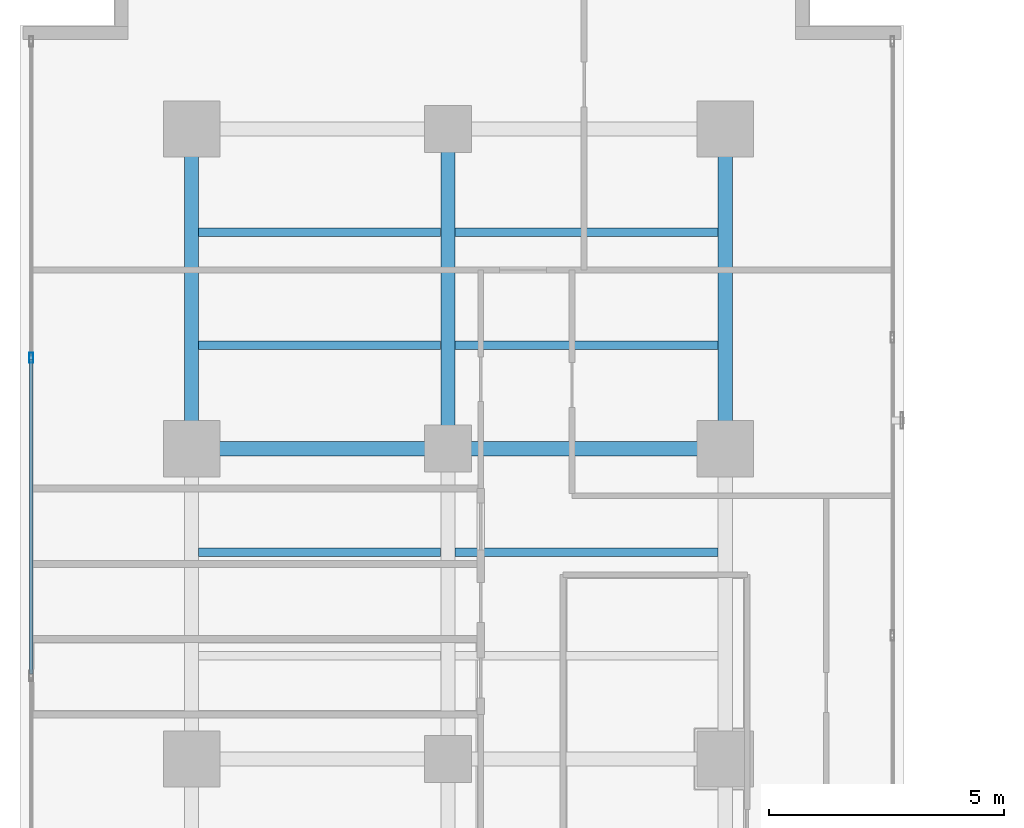
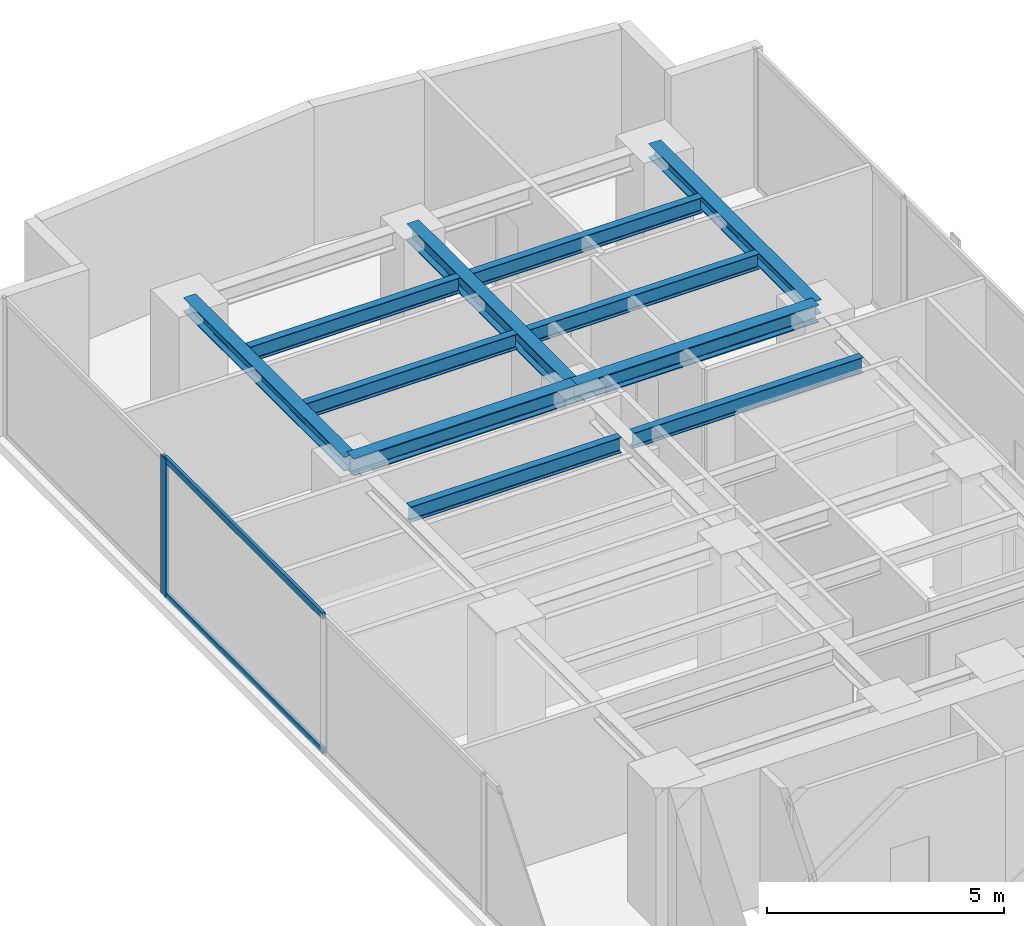
# One storey, part 15 of 26: 11 beams, 3 members, 1 element without a shape of its own.
"""IFC4 building model written with IfcOpenShell, lengths in metres."""

from ifc_helpers import new_model, si_unit, direction, frame, origin, origin_with_axes, origin_2d, place, context, subcontext, project, spatial, hollow_rectangle, i_section, extrude, source, transform, mapped, material, layer, layer_set, material_profile, profile_set, type_object, element, aggregate, save


model = new_model("IFC4")

# Units and contexts
model_context = context("Model", 3, precision=1e-05, world=origin(), true_north=direction((0.0, 1.0)))
body_context = subcontext(model_context, "Body", "Model", "MODEL_VIEW")
ifc_project = project(units=[si_unit("LENGTHUNIT", "METRE"), si_unit("AREAUNIT", "SQUARE_METRE"), si_unit("VOLUMEUNIT", "CUBIC_METRE"), si_unit("PLANEANGLEUNIT", "RADIAN"), si_unit("MASSUNIT", "GRAM", prefix="KILO")], contexts=[model_context])

# Site, building, storey
site_placement = place(None, origin())
site = spatial("IfcSite", under=ifc_project, at=site_placement, CompositionType="ELEMENT")
building_placement = place(site_placement, origin())
building = spatial("IfcBuilding", under=site, at=building_placement, Name="Kolvaren Waterfront Exchange", CompositionType="ELEMENT")
storey_placement = place(building_placement, frame((0.0, 0.0, 150.0)))
storey = spatial("IfcBuildingStorey", under=building, at=storey_placement, Name="L38", CompositionType="ELEMENT", Elevation=150.0)

# Beams
ifc_material_1 = material(Name="Steel S355", Category="steel")
ifc_material_profile_1 = material_profile(ifc_material_1, i_section(OverallWidth=0.300048828125, OverallDepth=0.360107421875, WebThickness=0.012451171875, FlangeThickness=0.0224609375, FilletRadius=0.027099609375, at=origin_2d()), Name="HEB360")
ifc_profile_set_1 = profile_set([ifc_material_profile_1], Name="Steel S355")
beam_type_1 = type_object("IfcBeamType", Name="STR-BM-HEB360", PredefinedType="SPANDREL", material=ifc_profile_set_1)
for number, where, z_axis, x_axis, name in (
    (1, (7.449951171875, 37.800048828125, 3.3798828125), (0.0, 1.0, 0.0), (-1.0, 0.0, 0.0), "L38 north-arm edge beam 3"),
    (2, (18.800048828125, 37.800048828125, 3.3798828125), (0.0, 1.0, 0.0), (-1.0, 0.0, 0.0), "L38 north-arm edge beam 3"),
):
    element("IfcBeam", number, at=place(storey_placement, frame(where, z_axis=z_axis, x_axis=x_axis)), inside=storey, type_object=beam_type_1, Name=name, PredefinedType="SPANDREL", context=body_context, shape_type="SweptSolid", body=[
        extrude(i_section(OverallWidth=0.300048828125, OverallDepth=0.360107421875, WebThickness=0.012451171875, FlangeThickness=0.0224609375, FilletRadius=0.027099609375, at=origin_2d()), origin(), (0.0, 0.0, 1.0), 6.800048828125),
    ])
ifc_material_profile_2 = material_profile(ifc_material_1, i_section(OverallWidth=0.300048828125, OverallDepth=0.449951171875, WebThickness=0.013916015625, FlangeThickness=0.02587890625, FilletRadius=0.027099609375, at=origin_2d()), Name="HEB450")
ifc_profile_set_2 = profile_set([ifc_material_profile_2], Name="Steel S355")
beam_type_2 = type_object("IfcBeamType", Name="STR-BM-HEB450", PredefinedType="BEAM", material=ifc_profile_set_2)
beam_1_placement = place(storey_placement, frame((7.449951171875, 37.800048828125, 3.3349609375), z_axis=(1.0, 0.0, 0.0), x_axis=(0.0, 1.0, 0.0)))
element("IfcBeam", 3, at=beam_1_placement, inside=storey, type_object=beam_type_2, Name="L38 north-arm girder 3A", PredefinedType="BEAM", context=body_context, shape_type="SweptSolid", body=[
    extrude(i_section(OverallWidth=0.300048828125, OverallDepth=0.449951171875, WebThickness=0.013916015625, FlangeThickness=0.02587890625, FilletRadius=0.027099609375, at=origin_2d()), origin(), (0.0, 0.0, 1.0), 5.449951171875),
])
beam_2_placement = place(storey_placement, frame((12.89990234375, 37.800048828125, 3.3349609375), z_axis=(1.0, 0.0, 0.0), x_axis=(0.0, 1.0, 0.0)))
element("IfcBeam", 4, at=beam_2_placement, inside=storey, type_object=beam_type_2, Name="L38 north-arm girder 3B", PredefinedType="BEAM", context=body_context, shape_type="SweptSolid", body=[
    extrude(i_section(OverallWidth=0.300048828125, OverallDepth=0.449951171875, WebThickness=0.013916015625, FlangeThickness=0.02587890625, FilletRadius=0.027099609375, at=origin_2d()), origin(), (0.0, 0.0, 1.0), 5.900146484375),
])
beam_3_placement = place(storey_placement, frame((12.89990234375, 37.800048828125, 3.3349609375), z_axis=(0.0, 1.0, 0.0), x_axis=(-1.0, 0.0, 0.0)))
element("IfcBeam", 5, at=beam_3_placement, inside=storey, type_object=beam_type_2, Name="L38 north-arm edge beam 3", PredefinedType="BEAM", context=body_context, shape_type="SweptSolid", body=[
    extrude(i_section(OverallWidth=0.300048828125, OverallDepth=0.449951171875, WebThickness=0.013916015625, FlangeThickness=0.02587890625, FilletRadius=0.027099609375, at=origin_2d()), origin(), (0.0, 0.0, 1.0), 6.800048828125),
])
ifc_material_profile_3 = material_profile(ifc_material_1, i_section(OverallWidth=0.179931640625, OverallDepth=0.39990234375, WebThickness=0.008544921875, FlangeThickness=0.013427734375, FilletRadius=0.02099609375, at=origin_2d()), Name="IPE400")
ifc_profile_set_3 = profile_set([ifc_material_profile_3], Name="Steel S355")
beam_type_3 = type_object("IfcBeamType", Name="STR-BM-IPE400", PredefinedType="JOIST", material=ifc_profile_set_3)
beam_4_placement = place(storey_placement, frame((7.60205078125, 35.60009765625, 3.360107421875), z_axis=(1.0, 0.0, 0.0), x_axis=(0.0, 1.0, 0.0)))
element("IfcBeam", 6, at=beam_4_placement, inside=storey, type_object=beam_type_3, Name="L38 north-arm composite joist 4A", PredefinedType="JOIST", context=body_context, shape_type="SweptSolid", body=[
    extrude(i_section(OverallWidth=0.179931640625, OverallDepth=0.39990234375, WebThickness=0.008544921875, FlangeThickness=0.013427734375, FilletRadius=0.02099609375, at=origin_2d()), origin(), (0.0, 0.0, 1.0), 5.14599609375),
])
beam_5_placement = place(storey_placement, frame((13.052001953125, 35.60009765625, 3.360107421875), z_axis=(1.0, 0.0, 0.0), x_axis=(0.0, 1.0, 0.0)))
element("IfcBeam", 7, at=beam_5_placement, inside=storey, type_object=beam_type_3, Name="L38 north-arm composite joist 4B", PredefinedType="JOIST", context=body_context, shape_type="SweptSolid", body=[
    extrude(i_section(OverallWidth=0.179931640625, OverallDepth=0.39990234375, WebThickness=0.008544921875, FlangeThickness=0.013427734375, FilletRadius=0.02099609375, at=origin_2d()), origin(), (0.0, 0.0, 1.0), 5.595947265625),
])
beam_6_placement = place(storey_placement, frame((7.60205078125, 40.0, 3.360107421875), z_axis=(1.0, 0.0, 0.0), x_axis=(0.0, 1.0, 0.0)))
element("IfcBeam", 8, at=beam_6_placement, inside=storey, type_object=beam_type_3, Name="L38 north-arm composite joist 5A", PredefinedType="JOIST", context=body_context, shape_type="SweptSolid", body=[
    extrude(i_section(OverallWidth=0.179931640625, OverallDepth=0.39990234375, WebThickness=0.008544921875, FlangeThickness=0.013427734375, FilletRadius=0.02099609375, at=origin_2d()), origin(), (0.0, 0.0, 1.0), 5.14599609375),
])
beam_7_placement = place(storey_placement, frame((13.052001953125, 40.0, 3.360107421875), z_axis=(1.0, 0.0, 0.0), x_axis=(0.0, 1.0, 0.0)))
element("IfcBeam", 9, at=beam_7_placement, inside=storey, type_object=beam_type_3, Name="L38 north-arm composite joist 5B", PredefinedType="JOIST", context=body_context, shape_type="SweptSolid", body=[
    extrude(i_section(OverallWidth=0.179931640625, OverallDepth=0.39990234375, WebThickness=0.008544921875, FlangeThickness=0.013427734375, FilletRadius=0.02099609375, at=origin_2d()), origin(), (0.0, 0.0, 1.0), 5.595947265625),
])
beam_8_placement = place(storey_placement, frame((7.60205078125, 42.39990234375, 3.360107421875), z_axis=(1.0, 0.0, 0.0), x_axis=(0.0, 1.0, 0.0)))
element("IfcBeam", 10, at=beam_8_placement, inside=storey, type_object=beam_type_3, Name="L38 north-arm composite joist 6A", PredefinedType="JOIST", context=body_context, shape_type="SweptSolid", body=[
    extrude(i_section(OverallWidth=0.179931640625, OverallDepth=0.39990234375, WebThickness=0.008544921875, FlangeThickness=0.013427734375, FilletRadius=0.02099609375, at=origin_2d()), origin(), (0.0, 0.0, 1.0), 5.14599609375),
])
beam_9_placement = place(storey_placement, frame((13.052001953125, 42.39990234375, 3.360107421875), z_axis=(1.0, 0.0, 0.0), x_axis=(0.0, 1.0, 0.0)))
element("IfcBeam", 11, at=beam_9_placement, inside=storey, type_object=beam_type_3, Name="L38 north-arm composite joist 6B", PredefinedType="JOIST", context=body_context, shape_type="SweptSolid", body=[
    extrude(i_section(OverallWidth=0.179931640625, OverallDepth=0.39990234375, WebThickness=0.008544921875, FlangeThickness=0.013427734375, FilletRadius=0.02099609375, at=origin_2d()), origin(), (0.0, 0.0, 1.0), 5.595947265625),
])

# Curtain wall, members
ifc_material_2 = material(Name="Anodised aluminium 6063-T6", Category="aluminium")
ifc_layer = layer(ifc_material_2, 0.219970703125, Name="Anodised aluminium 6063-T6")
ifc_layer_set = layer_set([ifc_layer], Name="Anodised aluminium 6063-T6")
curtain_wall_type = type_object("IfcCurtainWallType", Name="ARC-CW-SYS2", PredefinedType="USERDEFINED", material=ifc_layer_set)
curtain_wall_placement = place(storey_placement, origin())
curtain_wall = element("IfcCurtainWall", 12, at=curtain_wall_placement, inside=storey, type_object=curtain_wall_type, Name="L38 stick curtain wall CW2 (CW-L38-W)", ObjectType="STICK CURTAIN WALL", PredefinedType="USERDEFINED")
ifc_material_profile_4 = material_profile(ifc_material_2, hollow_rectangle(XDim=0.080078125, YDim=0.219970703125, WallThickness=0.0048828125, at=origin_2d()), Name="ALU-MUL-220x80x5")
ifc_profile_set_4 = profile_set([ifc_material_profile_4], Name="Anodised aluminium 6063-T6")
member_type_1 = type_object("IfcMemberType", Name="ARC-CWM-220", PredefinedType="MULLION", material=ifc_profile_set_4)
shared_shape_1 = source(origin_with_axes(), body_context, "Body", "SweptSolid", [
    extrude(hollow_rectangle(XDim=0.080078125, YDim=0.219970703125, WallThickness=0.0048828125, at=origin_2d()), origin(), (0.0, 0.0, 1.0), 3.56005859375),
])
member_1_placement = place(storey_placement, frame((4.0400390625, 39.7333984375, 0.0), z_axis=(0.0, 0.0, 1.0), x_axis=(-1.0, 0.0, 0.0)))
member_1 = element("IfcMember", 13, at=member_1_placement, type_object=member_type_1, Name="CW2 mullion 6", PredefinedType="MULLION", context=body_context, shape_type="MappedRepresentation", body=[
    mapped(shared_shape_1, transform((0.0, 0.0, 0.0), x_axis=(1.0, 0.0, 0.0), y_axis=(0.0, 1.0, 0.0), z_axis=(0.0, 0.0, 1.0), scale=1.0)),
])
ifc_material_profile_5 = material_profile(ifc_material_2, hollow_rectangle(XDim=0.074951171875, YDim=0.159912109375, WallThickness=0.00439453125, at=origin_2d()), Name="ALU-TRN-160x75x4.5")
ifc_profile_set_5 = profile_set([ifc_material_profile_5], Name="Anodised aluminium 6063-T6")
member_type_2 = type_object("IfcMemberType", Name="ARC-CWT-160", PredefinedType="USERDEFINED", material=ifc_profile_set_5)
shared_shape_2 = source(origin_with_axes(), body_context, "Body", "SweptSolid", [
    extrude(hollow_rectangle(XDim=0.074951171875, YDim=0.159912109375, WallThickness=0.00439453125, at=origin_2d()), origin(), (0.0, 0.0, 1.0), 6.686767578125),
])
member_2_placement = place(storey_placement, frame((4.0400390625, 33.006591796875, 0.03759765625), z_axis=(0.0, 1.0, 0.0), x_axis=(-1.0, 0.0, 0.0)))
member_2 = element("IfcMember", 14, at=member_2_placement, type_object=member_type_2, Name="CW2 transom 5.1", ObjectType="TRANSOM", PredefinedType="USERDEFINED", context=body_context, shape_type="MappedRepresentation", body=[
    mapped(shared_shape_2, transform((0.0, 0.0, 0.0), x_axis=(1.0, 0.0, 0.0), y_axis=(0.0, 1.0, 0.0), z_axis=(0.0, 0.0, 1.0), scale=1.0)),
])
member_3_placement = place(storey_placement, frame((4.0400390625, 33.006591796875, 3.5224609375), z_axis=(0.0, 1.0, 0.0), x_axis=(-1.0, 0.0, 0.0)))
member_3 = element("IfcMember", 15, at=member_3_placement, type_object=member_type_2, Name="CW2 transom 5.2", ObjectType="TRANSOM", PredefinedType="USERDEFINED", context=body_context, shape_type="MappedRepresentation", body=[
    mapped(shared_shape_2, transform((0.0, 0.0, 0.0), x_axis=(1.0, 0.0, 0.0), y_axis=(0.0, 1.0, 0.0), z_axis=(0.0, 0.0, 1.0), scale=1.0)),
])
aggregate(curtain_wall, [member_1, member_2, member_3])

save(model, "model.ifc")
